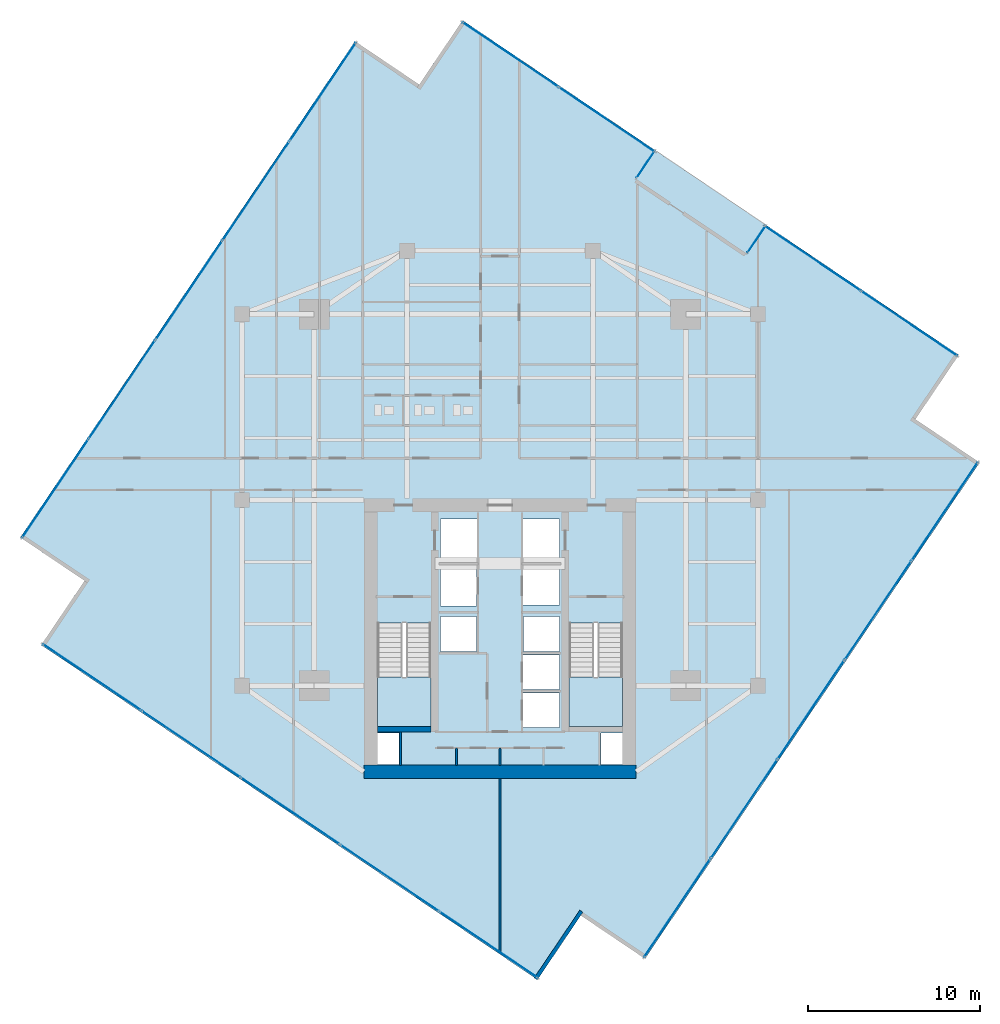
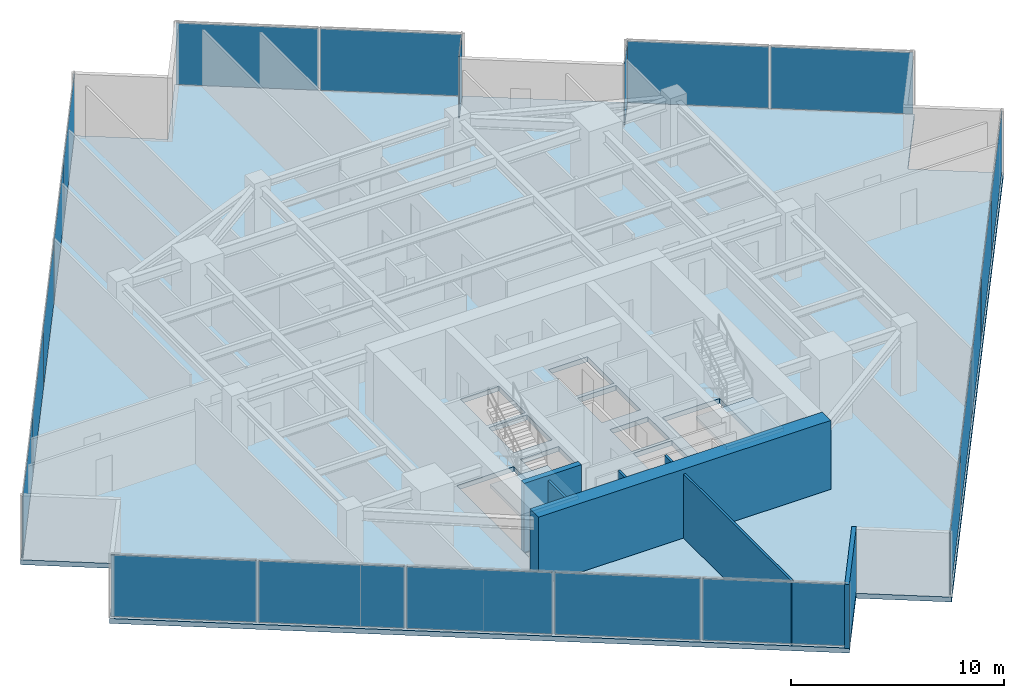
# One storey, part 22 of 27: 21 plates, 7 walls, 3 slabs, 9 elements without a shape of their own.
"""IFC4 building model written with IfcOpenShell, lengths in metres."""

from ifc_helpers import new_model, si_unit, direction, frame, frame_2d, origin, origin_2d, place, context, subcontext, project, spatial, polyline, rectangle, outline, extrude, source, transform, mapped, material, layer, layer_set, type_object, type_shapes, element, aggregate, save


model = new_model("IFC4")

# Units and contexts
model_context = context("Model", 3, precision=1e-05, world=origin(), true_north=direction((0.0, 1.0)))
body_context = subcontext(model_context, "Body", "Model", "MODEL_VIEW")
ifc_project = project(units=[si_unit("LENGTHUNIT", "METRE"), si_unit("AREAUNIT", "SQUARE_METRE"), si_unit("VOLUMEUNIT", "CUBIC_METRE"), si_unit("PLANEANGLEUNIT", "RADIAN"), si_unit("MASSUNIT", "GRAM", prefix="KILO")], contexts=[model_context])

# Site, building, storey
site_placement = place(None, origin())
site = spatial("IfcSite", under=ifc_project, at=site_placement, CompositionType="ELEMENT")
building_placement = place(site_placement, origin())
building = spatial("IfcBuilding", under=site, at=building_placement, Name="Krantzveldt Concourse Tower", CompositionType="ELEMENT")
storey_placement = place(building_placement, frame((0.0, 0.0, 185.699951171875)))
storey = spatial("IfcBuildingStorey", under=building, at=storey_placement, Name="L45", CompositionType="ELEMENT", Elevation=185.699951171875)

# Stair, slab
ifc_material_1 = material(Name="Precast concrete C40/50", Category="concrete")
stair_type = type_object("IfcStairType", Name="STR-CORE-DOGLEG", PredefinedType="HALF_TURN_STAIR", material=ifc_material_1)
stair_1_placement = place(storey_placement, origin())
stair_1 = element("IfcStair", 1, at=stair_1_placement, inside=storey, type_object=stair_type, Name="L45 Protected Escape Stair ST-1", PredefinedType="HALF_TURN_STAIR")
ifc_layer_1 = layer(ifc_material_1, 0.199951171875, Name="Precast concrete C40/50", Category="concrete")
ifc_layer_set_1 = layer_set([ifc_layer_1], Name="Precast concrete C40/50 (SL-LANDING-200)")
slab_type_1 = type_object("IfcSlabType", Name="SL-LANDING-200", PredefinedType="LANDING", material=ifc_layer_set_1)
slab_1_placement = place(storey_placement, frame((0.0, 0.0, 1.775146484375)))
slab_1 = element("IfcSlab", 2, at=slab_1_placement, type_object=slab_type_1, Name="ST-1 landing 1", PredefinedType="LANDING", context=body_context, shape_type="SweptSolid", body=[
    extrude(outline(polyline([(28.8798828125, 16.4150390625), (28.8798828125, 13.52001953125), (31.97998046875, 13.52001953125), (31.97998046875, 16.4150390625), (28.8798828125, 16.4150390625)])), origin(), (0.0, 0.0, 1.0), 0.199951171875),
])
aggregate(stair_1, [slab_1])

stair_2_placement = place(storey_placement, origin())
stair_2 = element("IfcStair", 3, at=stair_2_placement, inside=storey, type_object=stair_type, Name="L45 Protected Escape Stair ST-2", PredefinedType="HALF_TURN_STAIR")
slab_2_placement = place(storey_placement, frame((0.0, 0.0, 1.775146484375)))
slab_2 = element("IfcSlab", 4, at=slab_2_placement, type_object=slab_type_1, Name="ST-2 landing 1", PredefinedType="LANDING", context=body_context, shape_type="SweptSolid", body=[
    extrude(outline(polyline([(40.02001953125, 16.4150390625), (40.02001953125, 13.52001953125), (43.1201171875, 13.52001953125), (43.1201171875, 16.4150390625), (40.02001953125, 16.4150390625)])), origin(), (0.0, 0.0, 1.0), 0.199951171875),
])
aggregate(stair_2, [slab_2])

# Slab
ifc_material_2 = material(Name="Concrete C40/50", Category="concrete")
ifc_layer_2 = layer(ifc_material_2, 0.280029296875, Name="Concrete C40/50", Category="concrete")
ifc_layer_set_2 = layer_set([ifc_layer_2], Name="Concrete C40/50 (SL-SL-TER280)")
slab_type_2 = type_object("IfcSlabType", Name="SL-SL-TER280", PredefinedType="FLOOR", material=ifc_layer_set_2)
slab_3_placement = place(storey_placement, frame((0.0, 0.0, -0.280029296875)))
element("IfcSlab", 5, at=slab_3_placement, inside=storey, type_object=slab_type_2, Name="SL-L45-MAIN", PredefinedType="FLOOR", context=body_context, shape_type="SweptSolid", body=[
    extrude(outline(polyline([(31.3046875, 50.855224609375), (27.573974609375, 53.37158203125), (8.114013671875, 24.52099609375), (11.8447265625, 22.004638671875), (9.328369140625, 18.27392578125), (38.178955078125, -1.185791015625), (40.6953125, 2.544677734375), (44.426025390625, 0.0283203125), (63.885986328125, 28.87890625), (60.1552734375, 31.395263671875), (62.671630859375, 35.1259765625), (33.821044921875, 54.5859375), (31.3046875, 50.855224609375)]), holes=[polyline([(28.8798828125, 19.547607421875), (28.8798828125, 13.52001953125), (31.97998046875, 13.52001953125), (31.97998046875, 19.547607421875), (28.8798828125, 19.547607421875)]), polyline([(40.02001953125, 19.547607421875), (40.02001953125, 13.52001953125), (43.1201171875, 13.52001953125), (43.1201171875, 19.547607421875), (40.02001953125, 19.547607421875)]), polyline([(32.550048828125, 23.10009765625), (34.64990234375, 23.10009765625), (34.64990234375, 25.60009765625), (32.550048828125, 25.60009765625), (32.550048828125, 23.10009765625)]), polyline([(37.35009765625, 23.10009765625), (39.449951171875, 23.10009765625), (39.449951171875, 25.60009765625), (37.35009765625, 25.60009765625), (37.35009765625, 23.10009765625)]), polyline([(37.35009765625, 20.60009765625), (39.449951171875, 20.60009765625), (39.449951171875, 22.89990234375), (37.35009765625, 22.89990234375), (37.35009765625, 20.60009765625)]), polyline([(37.35009765625, 13.47998046875), (39.449951171875, 13.47998046875), (39.449951171875, 15.47998046875), (37.35009765625, 15.47998046875), (37.35009765625, 13.47998046875)]), polyline([(37.35009765625, 15.679931640625), (39.449951171875, 15.679931640625), (39.449951171875, 17.679931640625), (37.35009765625, 17.679931640625), (37.35009765625, 15.679931640625)]), polyline([(32.550048828125, 20.550048828125), (34.6201171875, 20.550048828125), (34.6201171875, 22.89990234375), (32.550048828125, 22.89990234375), (32.550048828125, 20.550048828125)]), polyline([(32.550048828125, 17.8798828125), (34.6201171875, 17.8798828125), (34.6201171875, 19.919921875), (32.550048828125, 19.919921875), (32.550048828125, 17.8798828125)]), polyline([(37.3798828125, 17.8798828125), (39.449951171875, 17.8798828125), (39.449951171875, 19.919921875), (37.3798828125, 19.919921875), (37.3798828125, 17.8798828125)]), polyline([(28.8798828125, 11.320068359375), (30.139892578125, 11.320068359375), (30.139892578125, 13.159912109375), (28.8798828125, 13.159912109375), (28.8798828125, 11.320068359375)]), polyline([(41.860107421875, 11.320068359375), (43.1201171875, 11.320068359375), (43.1201171875, 13.159912109375), (41.860107421875, 13.159912109375), (41.860107421875, 11.320068359375)])]), origin(), (0.0, 0.0, 1.0), 0.280029296875),
])

# Curtain wall, plate
ifc_material_3 = material(Name="Anodised aluminium 6063-T6", Category="aluminium")
curtain_wall_type_1 = type_object("IfcCurtainWallType", Name="CW6", PredefinedType="USERDEFINED", material=ifc_material_3)
curtain_wall_1_placement = place(storey_placement, origin())
curtain_wall_1 = element("IfcCurtainWall", 6, at=curtain_wall_1_placement, inside=storey, type_object=curtain_wall_type_1, Name="CW-L45-TR11", ObjectType="UNITISED CURTAIN WALL", PredefinedType="USERDEFINED")
ifc_material_4 = material(Name="Bronze-tinted laminated low-E IGU glass", Category="glass")
ifc_layer_3 = layer(ifc_material_4, 0.031982421875, Name="Bronze-tinted laminated low-E IGU glass", Category="glass")
ifc_layer_set_3 = layer_set([ifc_layer_3], Name="Bronze-tinted laminated low-E IGU glass (CW-GLZ-32)")
plate_type = type_object("IfcPlateType", Name="CW-GLZ-32", PredefinedType="CURTAIN_PANEL", material=ifc_layer_set_3)
shared_shape_1 = source(origin(), body_context, "Body", "SweptSolid", [
    extrude(rectangle(XDim=1.860107421875, YDim=0.031982421875, at=origin_2d()), origin(), (0.0, 0.0, 1.0), 3.530029296875),
])
plate_1_placement = place(storey_placement, frame((50.912109375, 41.8515625, 0.06982421875), z_axis=(0.0, 0.0, 1.0), x_axis=(-0.559193219078, -0.829037359675, 0.0)))
plate_1 = element("IfcPlate", 7, at=plate_1_placement, type_object=plate_type, Name="CW-TERR panel 1.1", PredefinedType="CURTAIN_PANEL", context=body_context, shape_type="MappedRepresentation", body=[
    mapped(shared_shape_1, transform((0.0, 0.0, 0.0), x_axis=(1.0, 0.0, 0.0), y_axis=(0.0, 1.0, 0.0), z_axis=(0.0, 0.0, 1.0), scale=1.0)),
])
aggregate(curtain_wall_1, [plate_1])

curtain_wall_2_placement = place(storey_placement, origin())
curtain_wall_2 = element("IfcCurtainWall", 8, at=curtain_wall_2_placement, inside=storey, type_object=curtain_wall_type_1, Name="CW-L45-TR13", ObjectType="UNITISED CURTAIN WALL", PredefinedType="USERDEFINED")
plate_2_placement = place(storey_placement, frame((44.462158203125, 46.2021484375, 0.06982421875), z_axis=(0.0, 0.0, 1.0), x_axis=(0.559189782554, 0.829039677631, 0.0)))
plate_2 = element("IfcPlate", 9, at=plate_2_placement, type_object=plate_type, Name="CW-TERR panel 1.1", PredefinedType="CURTAIN_PANEL", context=body_context, shape_type="MappedRepresentation", body=[
    mapped(shared_shape_1, transform((0.0, 0.0, 0.0), x_axis=(1.0, 0.0, 0.0), y_axis=(0.0, 1.0, 0.0), z_axis=(0.0, 0.0, 1.0), scale=1.0)),
])
aggregate(curtain_wall_2, [plate_2])

# Curtain wall, plates
curtain_wall_type_2 = type_object("IfcCurtainWallType", Name="CW3", PredefinedType="USERDEFINED", material=ifc_material_3)
curtain_wall_3_placement = place(storey_placement, origin())
curtain_wall_3 = element("IfcCurtainWall", 10, at=curtain_wall_3_placement, inside=storey, type_object=curtain_wall_type_2, Name="CW-L45-F01", ObjectType="UNITISED CURTAIN WALL", PredefinedType="USERDEFINED")
shared_shape_2 = source(origin(), body_context, "Body", "SweptSolid", [
    extrude(rectangle(XDim=6.85498046875, YDim=0.031982421875, at=origin_2d()), origin(), (0.0, 0.0, 1.0), 3.530029296875),
])
plate_3_placement = place(storey_placement, frame((25.69287109375, 50.421630859375, 0.06982421875), z_axis=(0.0, 0.0, 1.0), x_axis=(-0.559192810447, -0.829037635301, 0.0)))
plate_3 = element("IfcPlate", 11, at=plate_3_placement, type_object=plate_type, Name="CW-Z34 panel 1.1", PredefinedType="CURTAIN_PANEL", context=body_context, shape_type="MappedRepresentation", body=[
    mapped(shared_shape_2, transform((0.0, 0.0, 0.0), x_axis=(1.0, 0.0, 0.0), y_axis=(0.0, 1.0, 0.0), z_axis=(0.0, 0.0, 1.0), scale=1.0)),
])
plate_4_placement = place(storey_placement, frame((10.14453125, 27.370361328125, 0.06982421875), z_axis=(0.0, 0.0, 1.0), x_axis=(-0.559192810447, -0.829037635301, 0.0)))
plate_4 = element("IfcPlate", 12, at=plate_4_placement, type_object=plate_type, Name="CW-Z34 panel 5.1", PredefinedType="CURTAIN_PANEL", context=body_context, shape_type="MappedRepresentation", body=[
    mapped(shared_shape_2, transform((0.0, 0.0, 0.0), x_axis=(1.0, 0.0, 0.0), y_axis=(0.0, 1.0, 0.0), z_axis=(0.0, 0.0, 1.0), scale=1.0)),
])

curtain_wall_4_placement = place(storey_placement, origin())
curtain_wall_4 = element("IfcCurtainWall", 13, at=curtain_wall_4_placement, inside=storey, type_object=curtain_wall_type_2, Name="CW-L45-F04", ObjectType="UNITISED CURTAIN WALL", PredefinedType="USERDEFINED")
plate_5_placement = place(storey_placement, frame((12.2783203125, 16.392822265625, 0.06982421875), z_axis=(0.0, 0.0, 1.0), x_axis=(0.829037635301, -0.559192810447, 0.0)))
plate_5 = element("IfcPlate", 14, at=plate_5_placement, type_object=plate_type, Name="CW-Z34 panel 1.1", PredefinedType="CURTAIN_PANEL", context=body_context, shape_type="MappedRepresentation", body=[
    mapped(shared_shape_2, transform((0.0, 0.0, 0.0), x_axis=(1.0, 0.0, 0.0), y_axis=(0.0, 1.0, 0.0), z_axis=(0.0, 0.0, 1.0), scale=1.0)),
])
plate_6_placement = place(storey_placement, frame((35.32958984375, 0.844482421875, 0.06982421875), z_axis=(0.0, 0.0, 1.0), x_axis=(0.829037635301, -0.559192810447, 0.0)))
plate_6 = element("IfcPlate", 15, at=plate_6_placement, type_object=plate_type, Name="CW-Z34 panel 5.1", PredefinedType="CURTAIN_PANEL", context=body_context, shape_type="MappedRepresentation", body=[
    mapped(shared_shape_2, transform((0.0, 0.0, 0.0), x_axis=(1.0, 0.0, 0.0), y_axis=(0.0, 1.0, 0.0), z_axis=(0.0, 0.0, 1.0), scale=1.0)),
])

curtain_wall_5_placement = place(storey_placement, origin())
curtain_wall_5 = element("IfcCurtainWall", 16, at=curtain_wall_5_placement, inside=storey, type_object=curtain_wall_type_2, Name="CW-L45-F07", ObjectType="UNITISED CURTAIN WALL", PredefinedType="USERDEFINED")
plate_7_placement = place(storey_placement, frame((46.30712890625, 2.978271484375, 0.06982421875), z_axis=(0.0, 0.0, 1.0), x_axis=(0.559192810447, 0.829037635301, 0.0)))
plate_7 = element("IfcPlate", 17, at=plate_7_placement, type_object=plate_type, Name="CW-Z34 panel 1.1", PredefinedType="CURTAIN_PANEL", context=body_context, shape_type="MappedRepresentation", body=[
    mapped(shared_shape_2, transform((0.0, 0.0, 0.0), x_axis=(1.0, 0.0, 0.0), y_axis=(0.0, 1.0, 0.0), z_axis=(0.0, 0.0, 1.0), scale=1.0)),
])
plate_8_placement = place(storey_placement, frame((61.85546875, 26.02978515625, 0.06982421875), z_axis=(0.0, 0.0, 1.0), x_axis=(0.559192810447, 0.829037635301, 0.0)))
plate_8 = element("IfcPlate", 18, at=plate_8_placement, type_object=plate_type, Name="CW-Z34 panel 5.1", PredefinedType="CURTAIN_PANEL", context=body_context, shape_type="MappedRepresentation", body=[
    mapped(shared_shape_2, transform((0.0, 0.0, 0.0), x_axis=(1.0, 0.0, 0.0), y_axis=(0.0, 1.0, 0.0), z_axis=(0.0, 0.0, 1.0), scale=1.0)),
])

# Plate
shared_shape_3 = source(origin(), body_context, "Body", "SweptSolid", [
    extrude(rectangle(XDim=6.889892578125, YDim=0.031982421875, at=origin_2d()), origin(), (0.0, 0.0, 1.0), 3.530029296875),
])
plate_9_placement = place(storey_placement, frame((21.810546875, 44.666015625, 0.06982421875), z_axis=(0.0, 0.0, 1.0), x_axis=(-0.559192810447, -0.829037635301, 0.0)))
plate_9 = element("IfcPlate", 19, at=plate_9_placement, type_object=plate_type, Name="CW-Z34 panel 2.1", PredefinedType="CURTAIN_PANEL", context=body_context, shape_type="MappedRepresentation", body=[
    mapped(shared_shape_3, transform((0.0, 0.0, 0.0), x_axis=(1.0, 0.0, 0.0), y_axis=(0.0, 1.0, 0.0), z_axis=(0.0, 0.0, 1.0), scale=1.0)),
])

plate_10_placement = place(storey_placement, frame((17.918701171875, 38.89599609375, 0.06982421875), z_axis=(0.0, 0.0, 1.0), x_axis=(-0.559192810447, -0.829037635301, 0.0)))
plate_10 = element("IfcPlate", 20, at=plate_10_placement, type_object=plate_type, Name="CW-Z34 panel 3.1", PredefinedType="CURTAIN_PANEL", context=body_context, shape_type="MappedRepresentation", body=[
    mapped(shared_shape_3, transform((0.0, 0.0, 0.0), x_axis=(1.0, 0.0, 0.0), y_axis=(0.0, 1.0, 0.0), z_axis=(0.0, 0.0, 1.0), scale=1.0)),
])

plate_11_placement = place(storey_placement, frame((14.026611328125, 33.1259765625, 0.06982421875), z_axis=(0.0, 0.0, 1.0), x_axis=(-0.559192810447, -0.829037635301, 0.0)))
plate_11 = element("IfcPlate", 21, at=plate_11_placement, type_object=plate_type, Name="CW-Z34 panel 4.1", PredefinedType="CURTAIN_PANEL", context=body_context, shape_type="MappedRepresentation", body=[
    mapped(shared_shape_3, transform((0.0, 0.0, 0.0), x_axis=(1.0, 0.0, 0.0), y_axis=(0.0, 1.0, 0.0), z_axis=(0.0, 0.0, 1.0), scale=1.0)),
])

aggregate(curtain_wall_3, [plate_3, plate_9, plate_10, plate_11, plate_4])

plate_12_placement = place(storey_placement, frame((18.033935546875, 12.5107421875, 0.06982421875), z_axis=(0.0, 0.0, 1.0), x_axis=(0.829037635301, -0.559192810447, 0.0)))
plate_12 = element("IfcPlate", 22, at=plate_12_placement, type_object=plate_type, Name="CW-Z34 panel 2.1", PredefinedType="CURTAIN_PANEL", context=body_context, shape_type="MappedRepresentation", body=[
    mapped(shared_shape_3, transform((0.0, 0.0, 0.0), x_axis=(1.0, 0.0, 0.0), y_axis=(0.0, 1.0, 0.0), z_axis=(0.0, 0.0, 1.0), scale=1.0)),
])

plate_13_placement = place(storey_placement, frame((23.803955078125, 8.61865234375, 0.06982421875), z_axis=(0.0, 0.0, 1.0), x_axis=(0.829037635301, -0.559192810447, 0.0)))
plate_13 = element("IfcPlate", 23, at=plate_13_placement, type_object=plate_type, Name="CW-Z34 panel 3.1", PredefinedType="CURTAIN_PANEL", context=body_context, shape_type="MappedRepresentation", body=[
    mapped(shared_shape_3, transform((0.0, 0.0, 0.0), x_axis=(1.0, 0.0, 0.0), y_axis=(0.0, 1.0, 0.0), z_axis=(0.0, 0.0, 1.0), scale=1.0)),
])

plate_14_placement = place(storey_placement, frame((29.57421875, 4.726806640625, 0.06982421875), z_axis=(0.0, 0.0, 1.0), x_axis=(0.829037635301, -0.559192810447, 0.0)))
plate_14 = element("IfcPlate", 24, at=plate_14_placement, type_object=plate_type, Name="CW-Z34 panel 4.1", PredefinedType="CURTAIN_PANEL", context=body_context, shape_type="MappedRepresentation", body=[
    mapped(shared_shape_3, transform((0.0, 0.0, 0.0), x_axis=(1.0, 0.0, 0.0), y_axis=(0.0, 1.0, 0.0), z_axis=(0.0, 0.0, 1.0), scale=1.0)),
])

aggregate(curtain_wall_4, [plate_5, plate_12, plate_13, plate_14, plate_6])

plate_15_placement = place(storey_placement, frame((50.189453125, 8.73388671875, 0.06982421875), z_axis=(0.0, 0.0, 1.0), x_axis=(0.559192810447, 0.829037635301, 0.0)))
plate_15 = element("IfcPlate", 25, at=plate_15_placement, type_object=plate_type, Name="CW-Z34 panel 2.1", PredefinedType="CURTAIN_PANEL", context=body_context, shape_type="MappedRepresentation", body=[
    mapped(shared_shape_3, transform((0.0, 0.0, 0.0), x_axis=(1.0, 0.0, 0.0), y_axis=(0.0, 1.0, 0.0), z_axis=(0.0, 0.0, 1.0), scale=1.0)),
])

plate_16_placement = place(storey_placement, frame((54.081298828125, 14.50390625, 0.06982421875), z_axis=(0.0, 0.0, 1.0), x_axis=(0.559192810447, 0.829037635301, 0.0)))
plate_16 = element("IfcPlate", 26, at=plate_16_placement, type_object=plate_type, Name="CW-Z34 panel 3.1", PredefinedType="CURTAIN_PANEL", context=body_context, shape_type="MappedRepresentation", body=[
    mapped(shared_shape_3, transform((0.0, 0.0, 0.0), x_axis=(1.0, 0.0, 0.0), y_axis=(0.0, 1.0, 0.0), z_axis=(0.0, 0.0, 1.0), scale=1.0)),
])

plate_17_placement = place(storey_placement, frame((57.973388671875, 20.274169921875, 0.06982421875), z_axis=(0.0, 0.0, 1.0), x_axis=(0.559192810447, 0.829037635301, 0.0)))
plate_17 = element("IfcPlate", 27, at=plate_17_placement, type_object=plate_type, Name="CW-Z34 panel 4.1", PredefinedType="CURTAIN_PANEL", context=body_context, shape_type="MappedRepresentation", body=[
    mapped(shared_shape_3, transform((0.0, 0.0, 0.0), x_axis=(1.0, 0.0, 0.0), y_axis=(0.0, 1.0, 0.0), z_axis=(0.0, 0.0, 1.0), scale=1.0)),
])

aggregate(curtain_wall_5, [plate_7, plate_15, plate_16, plate_17, plate_8])

# Curtain wall, plates
curtain_wall_6_placement = place(storey_placement, origin())
curtain_wall_6 = element("IfcCurtainWall", 28, at=curtain_wall_6_placement, inside=storey, type_object=curtain_wall_type_2, Name="CW-L45-F10", ObjectType="UNITISED CURTAIN WALL", PredefinedType="USERDEFINED")
shared_shape_4 = source(origin(), body_context, "Body", "SweptSolid", [
    extrude(rectangle(XDim=6.695068359375, YDim=0.031982421875, at=origin_2d()), origin(), (0.0, 0.0, 1.0), 3.530029296875),
])
type_shapes(plate_type, [shared_shape_1, shared_shape_2, shared_shape_3, shared_shape_4])
plate_18_placement = place(storey_placement, frame((59.7880859375, 36.96240234375, 0.06982421875), z_axis=(0.0, 0.0, 1.0), x_axis=(-0.829037668737, 0.559192760874, 0.0)))
plate_18 = element("IfcPlate", 29, at=plate_18_placement, type_object=plate_type, Name="CW-Z34 panel 1.1", PredefinedType="CURTAIN_PANEL", context=body_context, shape_type="MappedRepresentation", body=[
    mapped(shared_shape_4, transform((0.0, 0.0, 0.0), x_axis=(1.0, 0.0, 0.0), y_axis=(0.0, 1.0, 0.0), z_axis=(0.0, 0.0, 1.0), scale=1.0)),
])
plate_19_placement = place(storey_placement, frame((54.1796875, 40.745361328125, 0.06982421875), z_axis=(0.0, 0.0, 1.0), x_axis=(-0.829037668737, 0.559192760874, 0.0)))
plate_19 = element("IfcPlate", 30, at=plate_19_placement, type_object=plate_type, Name="CW-Z34 panel 2.1", PredefinedType="CURTAIN_PANEL", context=body_context, shape_type="MappedRepresentation", body=[
    mapped(shared_shape_4, transform((0.0, 0.0, 0.0), x_axis=(1.0, 0.0, 0.0), y_axis=(0.0, 1.0, 0.0), z_axis=(0.0, 0.0, 1.0), scale=1.0)),
])
aggregate(curtain_wall_6, [plate_18, plate_19])

curtain_wall_7_placement = place(storey_placement, origin())
curtain_wall_7 = element("IfcCurtainWall", 31, at=curtain_wall_7_placement, inside=storey, type_object=curtain_wall_type_2, Name="CW-L45-F14", ObjectType="UNITISED CURTAIN WALL", PredefinedType="USERDEFINED")
plate_20_placement = place(storey_placement, frame((42.21240234375, 48.8173828125, 0.06982421875), z_axis=(0.0, 0.0, 1.0), x_axis=(-0.829037668737, 0.559192760874, 0.0)))
plate_20 = element("IfcPlate", 32, at=plate_20_placement, type_object=plate_type, Name="CW-Z34 panel 1.1", PredefinedType="CURTAIN_PANEL", context=body_context, shape_type="MappedRepresentation", body=[
    mapped(shared_shape_4, transform((0.0, 0.0, 0.0), x_axis=(1.0, 0.0, 0.0), y_axis=(0.0, 1.0, 0.0), z_axis=(0.0, 0.0, 1.0), scale=1.0)),
])
plate_21_placement = place(storey_placement, frame((36.60400390625, 52.600341796875, 0.06982421875), z_axis=(0.0, 0.0, 1.0), x_axis=(-0.829037668737, 0.559192760874, 0.0)))
plate_21 = element("IfcPlate", 33, at=plate_21_placement, type_object=plate_type, Name="CW-Z34 panel 2.1", PredefinedType="CURTAIN_PANEL", context=body_context, shape_type="MappedRepresentation", body=[
    mapped(shared_shape_4, transform((0.0, 0.0, 0.0), x_axis=(1.0, 0.0, 0.0), y_axis=(0.0, 1.0, 0.0), z_axis=(0.0, 0.0, 1.0), scale=1.0)),
])
aggregate(curtain_wall_7, [plate_20, plate_21])

# Walls
ifc_layer_4 = layer(ifc_material_3, 0.219970703125, Name="Anodised aluminium 6063-T6", Category="aluminium")
ifc_layer_set_4 = layer_set([ifc_layer_4], Name="Anodised aluminium 6063-T6 (WL-EXT-NOTCH220)")
wall_type_1 = type_object("IfcWallType", Name="WL-EXT-NOTCH220", PredefinedType="ELEMENTEDWALL", material=ifc_layer_set_4)
wall_1_placement = place(storey_placement, frame((38.07373046875, -1.14501953125, 0.0), z_axis=(0.0, 0.0, 1.0), x_axis=(0.559204176839, 0.829029968461, 0.0)))
element("IfcWall", 34, at=wall_1_placement, inside=storey, type_object=wall_type_1, Name="EW-L45-NCH05", PredefinedType="ELEMENTEDWALL", context=body_context, shape_type="SweptSolid", body=[
    extrude(rectangle(XDim=4.744873046875, YDim=0.219970703125, at=frame_2d((2.37255859375, 0.0))), origin(), (0.0, 0.0, 1.0), 3.670166015625),
])
ifc_material_5 = material(Name="Fire-rated gypsum plasterboard on steel stud", Category="steel")
ifc_layer_5 = layer(ifc_material_5, 0.1201171875, Name="Fire-rated gypsum plasterboard on steel stud", Category="steel")
ifc_layer_set_5 = layer_set([ifc_layer_5], Name="Fire-rated gypsum plasterboard on steel stud (WL-PART-120)")
wall_type_2 = type_object("IfcWallType", Name="WL-PART-120", PredefinedType="PARTITIONING", material=ifc_layer_set_5)
for number, where, z_axis, x_axis, name in (
    (35, (33.469970703125, 11.25, 0.0), (0.0, 0.0, 1.0), (0.0, 1.0, 0.0), "WP-L45-CSD-V1"),
    (36, (36.0, 11.25, 0.0), (0.0, 0.0, 1.0), (0.0, 1.0, 0.0), "WP-L45-CSD-V2"),
):
    element("IfcWall", number, at=place(storey_placement, frame(where, z_axis=z_axis, x_axis=x_axis)), inside=storey, type_object=wall_type_2, Name=name, PredefinedType="PARTITIONING", context=body_context, shape_type="SweptSolid", body=[
        extrude(rectangle(XDim=1.030029296875, YDim=0.1201171875, at=frame_2d((0.51513671875, 0.0))), origin(), (0.0, 0.0, 1.0), 3.670166015625),
    ])
wall_2_placement = place(storey_placement, frame((36.0, 0.392333984375, 0.0), z_axis=(0.0, 0.0, 1.0), x_axis=(0.0, 1.0, 0.0)))
element("IfcWall", 37, at=wall_2_placement, inside=storey, type_object=wall_type_2, Name="WP-L45-SMID", PredefinedType="PARTITIONING", context=body_context, shape_type="SweptSolid", body=[
    extrude(rectangle(XDim=10.107666015625, YDim=0.1201171875, at=frame_2d((5.0537109375, 0.0))), origin(), (0.0, 0.0, 1.0), 3.670166015625),
])
ifc_layer_6 = layer(ifc_material_5, 0.139892578125, Name="Fire-rated gypsum plasterboard on steel stud", Category="steel")
ifc_layer_set_6 = layer_set([ifc_layer_6], Name="Fire-rated gypsum plasterboard on steel stud (WL-PART-FR140)")
wall_type_3 = type_object("IfcWallType", Name="WL-PART-FR140", PredefinedType="PARTITIONING", material=ifc_layer_set_6)
wall_3_placement = place(storey_placement, frame((30.219970703125, 11.25, 0.0), z_axis=(0.0, 0.0, 1.0), x_axis=(0.0, 1.0, 0.0)))
element("IfcWall", 38, at=wall_3_placement, inside=storey, type_object=wall_type_3, Name="WP-L45-RSW", PredefinedType="PARTITIONING", context=body_context, shape_type="SweptSolid", body=[
    extrude(rectangle(XDim=1.969970703125, YDim=0.1201171875, at=frame_2d((0.98486328125, 0.0))), origin(), (0.0, 0.0, 1.0), 3.670166015625),
])
ifc_material_6 = material(Name="Concrete C50/60", Category="concrete")
ifc_layer_7 = layer(ifc_material_6, 0.300048828125, Name="Concrete C50/60", Category="concrete")
ifc_layer_set_7 = layer_set([ifc_layer_7], Name="Concrete C50/60 (WL-SHEAR-300)")
wall_type_4 = type_object("IfcWallType", Name="WL-SHEAR-300", PredefinedType="SHEAR", material=ifc_layer_set_7)
wall_4_placement = place(storey_placement, frame((28.8798828125, 13.3701171875, 0.0), z_axis=(0.0, 0.0, 1.0), x_axis=(1.0, 0.0, 0.0)))
element("IfcWall", 39, at=wall_4_placement, inside=storey, type_object=wall_type_4, Name="CW-L45-ST1S", PredefinedType="SHEAR", context=body_context, shape_type="SweptSolid", body=[
    extrude(rectangle(XDim=3.10009765625, YDim=0.300048828125, at=frame_2d((1.550048828125, 0.0))), origin(), (0.0, 0.0, 1.0), 3.949951171875),
])
ifc_material_7 = material(Name="Concrete C60/75", Category="concrete")
ifc_layer_8 = layer(ifc_material_7, 0.800048828125, Name="Concrete C60/75", Category="concrete")
ifc_layer_set_8 = layer_set([ifc_layer_8], Name="Concrete C60/75 (WL-SHEAR-800)")
wall_type_5 = type_object("IfcWallType", Name="WL-SHEAR-800", PredefinedType="SHEAR", material=ifc_layer_set_8)
wall_5_placement = place(storey_placement, frame((28.080078125, 10.89990234375, 0.0), z_axis=(0.0, 0.0, 1.0), x_axis=(1.0, 0.0, 0.0)))
element("IfcWall", 40, at=wall_5_placement, inside=storey, type_object=wall_type_5, Name="CW-L45-S", PredefinedType="SHEAR", context=body_context, shape_type="SweptSolid", body=[
    extrude(rectangle(XDim=15.83984375, YDim=0.800048828125, at=frame_2d((7.919921875, 0.0))), origin(), (0.0, 0.0, 1.0), 3.949951171875),
])

save(model, "model.ifc")
